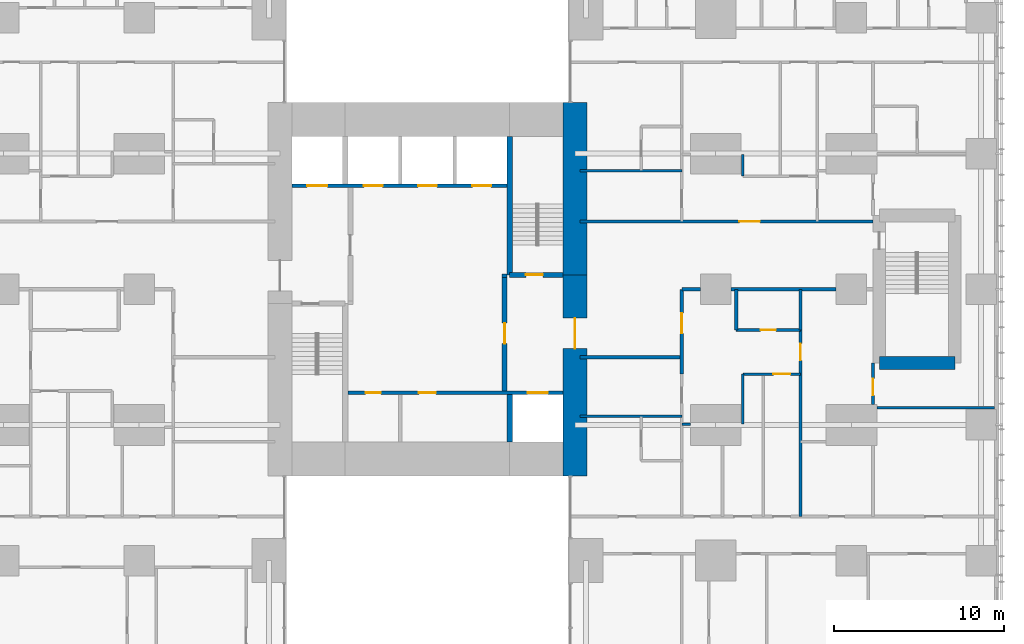
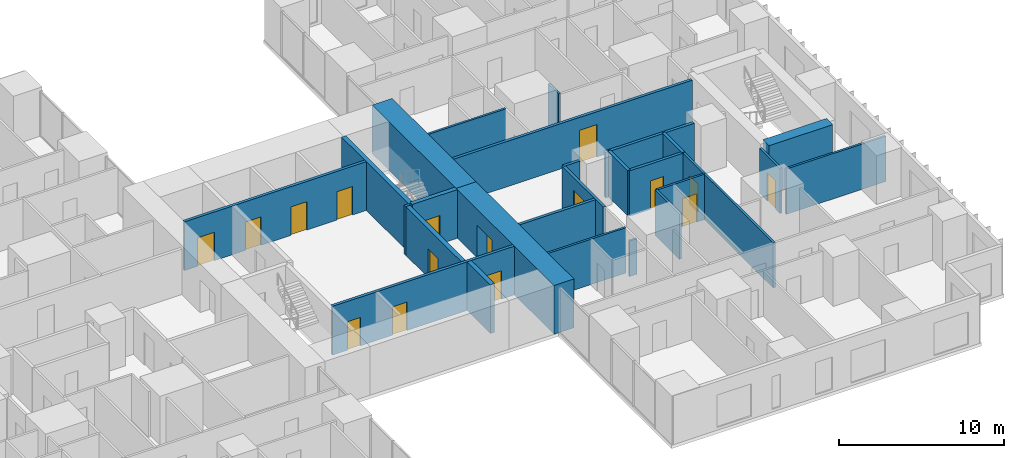
# One storey, part 15 of 20: 27 walls, 16 doors, 16 openings.
"""IFC4 building model written with IfcOpenShell, lengths in metres."""

from ifc_helpers import new_model, si_unit, direction, frame, frame_2d, origin, place, context, subcontext, project, spatial, rectangle, extrude, material, layer, layer_set, type_object, element, fill, save


model = new_model("IFC4")

# Units and contexts
model_context = context("Model", 3, precision=1e-05, world=origin(), true_north=direction((0.0, 1.0)))
body_context = subcontext(model_context, "Body", "Model", "MODEL_VIEW")
ifc_project = project(units=[si_unit("LENGTHUNIT", "METRE"), si_unit("AREAUNIT", "SQUARE_METRE"), si_unit("VOLUMEUNIT", "CUBIC_METRE"), si_unit("PLANEANGLEUNIT", "RADIAN"), si_unit("MASSUNIT", "GRAM", prefix="KILO")], contexts=[model_context])

# Site, building, storey
site_placement = place(None, origin())
site = spatial("IfcSite", under=ifc_project, at=site_placement, CompositionType="ELEMENT")
building_placement = place(site_placement, origin())
building = spatial("IfcBuilding", under=site, at=building_placement, Name="Cleftline Residences", CompositionType="ELEMENT")
storey_placement = place(building_placement, frame((0.0, 0.0, 193.0)))
storey = spatial("IfcBuildingStorey", under=building, at=storey_placement, Name="L50", CompositionType="ELEMENT", Elevation=193.0)

# Wall, opening, door
ifc_material_1 = material(Name="Concrete B70", Category="concrete")
ifc_layer_1 = layer(ifc_material_1, 1.39990234375)
ifc_layer_set_1 = layer_set([ifc_layer_1], Name="CORE WALL 1400")
wall_type_1 = type_object("IfcWallType", Name="CORE WALL 1400", PredefinedType="SHEAR", material=ifc_layer_set_1)
wall_1_placement = place(storey_placement, frame((41.699951171875, 13.0, 0.0), z_axis=(0.0, 0.0, 1.0), x_axis=(0.0, 1.0, 0.0)))
wall_1 = element("IfcWall", 1, at=wall_1_placement, inside=storey, type_object=wall_type_1, Name="Core wall E", PredefinedType="SHEAR", context=body_context, shape_type="SweptSolid", body=[
    extrude(rectangle(XDim=11.85009765625, YDim=1.39990234375, at=frame_2d((5.925048828125, 0.0))), origin(), (0.0, 0.0, 1.0), 3.60009765625),
])
opening_1_placement = place(wall_1_placement, frame((7.5, 0.0, 0.0)))
opening_1 = element("IfcOpeningElement", 2, at=opening_1_placement, cuts=wall_1, Name="Opening D7", PredefinedType="OPENING", context=body_context, shape_type="SweptSolid", body=[
    extrude(rectangle(XDim=1.800048828125, YDim=2.39990234375, at=frame_2d((0.89990234375, 1.199951171875))), frame((0.0, 0.7099609375, 0.0), z_axis=(0.0, -1.0, 0.0), x_axis=(1.0, 0.0, 0.0)), (0.0, 0.0, 1.0), 1.419921875),
])
ifc_material_2 = material(Name="Steel", Category="steel")
door_type_1 = type_object("IfcDoorType", Name="WING DOOR 1800X2400", OperationType="DOUBLE_DOOR_DOUBLE_SWING", PredefinedType="DOOR", material=ifc_material_2)
door_1_placement = place(opening_1_placement, origin())
door_1 = element("IfcDoor", 3, at=door_1_placement, inside=storey, type_object=door_type_1, Name="East wing door", OperationType="DOUBLE_DOOR_DOUBLE_SWING", OverallHeight=2.39990234375, OverallWidth=1.800048828125, PredefinedType="DOOR", context=body_context, shape_type="SweptSolid", body=[
    extrude(rectangle(XDim=1.800048828125, YDim=2.39990234375, at=frame_2d((0.89990234375, 1.199951171875))), frame((0.0, 0.02490234375, 0.0), z_axis=(0.0, -1.0, 0.0), x_axis=(1.0, 0.0, 0.0)), (0.0, 0.0, 1.0), 0.050048828125),
])
fill(opening_1, door_1)

# Walls
wall_2_placement = place(storey_placement, frame((41.699951171875, 24.85009765625, 0.0), z_axis=(0.0, 0.0, 1.0), x_axis=(0.0, 1.0, 0.0)))
element("IfcWall", 4, at=wall_2_placement, inside=storey, type_object=wall_type_1, Name="Core wall E1", PredefinedType="SHEAR", context=body_context, shape_type="SweptSolid", body=[
    extrude(rectangle(XDim=10.14990234375, YDim=1.39990234375, at=frame_2d((5.074951171875, 0.0))), origin(), (0.0, 0.0, 1.0), 3.60009765625),
])
ifc_material_3 = material(Name="Concrete B70", Category="concrete")
ifc_layer_2 = layer(ifc_material_3, 0.300048828125)
ifc_layer_set_2 = layer_set([ifc_layer_2], Name="CORE WALL 300")
wall_type_2 = type_object("IfcWallType", Name="CORE WALL 300", PredefinedType="SHEAR", material=ifc_layer_set_2)
wall_3_placement = place(storey_placement, frame((37.85009765625, 24.85009765625, 0.0), z_axis=(0.0, 0.0, 1.0), x_axis=(0.0, 1.0, 0.0)))
element("IfcWall", 5, at=wall_3_placement, inside=storey, type_object=wall_type_2, Name="Core wall SB-W", PredefinedType="SHEAR", context=body_context, shape_type="SweptSolid", body=[
    extrude(rectangle(XDim=8.14990234375, YDim=0.300048828125, at=frame_2d((4.074951171875, 0.0))), origin(), (0.0, 0.0, 1.0), 3.60009765625),
])

# Wall, opening, door
wall_4_placement = place(storey_placement, frame((37.85009765625, 24.85009765625, 0.0), z_axis=(0.0, 0.0, 1.0), x_axis=(1.0, 0.0, 0.0)))
wall_4 = element("IfcWall", 6, at=wall_4_placement, inside=storey, type_object=wall_type_2, Name="Core wall SB-S", PredefinedType="SHEAR", context=body_context, shape_type="SweptSolid", body=[
    extrude(rectangle(XDim=3.14990234375, YDim=0.300048828125, at=frame_2d((1.574951171875, 0.0))), origin(), (0.0, 0.0, 1.0), 3.60009765625),
])
opening_2_placement = place(wall_4_placement, frame((0.949951171875, 0.0, 0.0)))
opening_2 = element("IfcOpeningElement", 7, at=opening_2_placement, cuts=wall_4, Name="Opening D5", PredefinedType="OPENING", context=body_context, shape_type="SweptSolid", body=[
    extrude(rectangle(XDim=1.0, YDim=2.10009765625, at=frame_2d((0.5, 1.050048828125))), frame((0.0, 0.159912109375, 0.0), z_axis=(0.0, -1.0, 0.0), x_axis=(1.0, 0.0, 0.0)), (0.0, 0.0, 1.0), 0.320068359375),
])
ifc_material_4 = material(Name="Steel", Category="steel")
door_type_2 = type_object("IfcDoorType", Name="STAIR DOOR 1000X2100", OperationType="SINGLE_SWING_LEFT", PredefinedType="DOOR", material=ifc_material_4)
door_2_placement = place(opening_2_placement, origin())
door_2 = element("IfcDoor", 8, at=door_2_placement, inside=storey, type_object=door_type_2, Name="Stair B door", OperationType="SINGLE_SWING_RIGHT", OverallHeight=2.10009765625, OverallWidth=1.0, PredefinedType="DOOR", context=body_context, shape_type="SweptSolid", body=[
    extrude(rectangle(XDim=1.0, YDim=2.10009765625, at=frame_2d((0.5, 1.050048828125))), frame((0.0, 0.02490234375, 0.0), z_axis=(0.0, -1.0, 0.0), x_axis=(1.0, 0.0, 0.0)), (0.0, 0.0, 1.0), 0.050048828125),
])
fill(opening_2, door_2)

# Walls
wall_5_placement = place(storey_placement, frame((37.85009765625, 15.0, 0.0), z_axis=(0.0, 0.0, 1.0), x_axis=(0.0, 1.0, 0.0)))
element("IfcWall", 9, at=wall_5_placement, inside=storey, type_object=wall_type_2, Name="Lift shaft wall", PredefinedType="SHEAR", context=body_context, shape_type="SweptSolid", body=[
    extrude(rectangle(XDim=2.800048828125, YDim=0.300048828125, at=frame_2d((1.39990234375, 0.0))), origin(), (0.0, 0.0, 1.0), 3.60009765625),
])
ifc_material_5 = material(Name="Concrete blockwork, fire rated", Category="masonry")
ifc_layer_3 = layer(ifc_material_5, 0.199951171875)
ifc_layer_set_3 = layer_set([ifc_layer_3], Name="FIRE WALL 200")
wall_type_3 = type_object("IfcWallType", Name="FIRE WALL 200", PredefinedType="PARTITIONING", material=ifc_layer_set_3)
wall_6_placement = place(storey_placement, frame((42.0, 20.0, 0.0), z_axis=(0.0, 0.0, 1.0), x_axis=(1.0, 0.0, 0.0)))
element("IfcWall", 10, at=wall_6_placement, inside=storey, type_object=wall_type_3, Name="Fire separating wall", PredefinedType="PARTITIONING", context=body_context, shape_type="SweptSolid", body=[
    extrude(rectangle(XDim=6.0, YDim=0.199951171875, at=frame_2d((3.0, 0.0))), origin(), (0.0, 0.0, 1.0), 3.35009765625),
])

# Wall, opening, door
wall_7_placement = place(storey_placement, frame((51.199951171875, 21.60009765625, 0.0), z_axis=(0.0, 0.0, 1.0), x_axis=(1.0, 0.0, 0.0)))
wall_7 = element("IfcWall", 11, at=wall_7_placement, inside=storey, type_object=wall_type_3, Name="Fire separating wall", PredefinedType="PARTITIONING", context=body_context, shape_type="SweptSolid", body=[
    extrude(rectangle(XDim=3.800048828125, YDim=0.199951171875, at=frame_2d((1.89990234375, 0.0))), origin(), (0.0, 0.0, 1.0), 3.35009765625),
])
opening_3_placement = place(wall_7_placement, frame((1.449951171875, 0.0, 0.0)))
opening_3 = element("IfcOpeningElement", 12, at=opening_3_placement, cuts=wall_7, Name="Opening D1F30", PredefinedType="OPENING", context=body_context, shape_type="SweptSolid", body=[
    extrude(rectangle(XDim=0.89990234375, YDim=2.10009765625, at=frame_2d((0.449951171875, 1.050048828125))), frame((0.0, 0.10986328125, 0.0), z_axis=(0.0, -1.0, 0.0), x_axis=(1.0, 0.0, 0.0)), (0.0, 0.0, 1.0), 0.219970703125),
])
ifc_material_6 = material(Name="Timber veneer on solid core", Category="wood")
door_type_3 = type_object("IfcDoorType", Name="DOOR 900X2100 EI 30", OperationType="SINGLE_SWING_LEFT", PredefinedType="DOOR", material=ifc_material_6)
door_3_placement = place(opening_3_placement, origin())
door_3 = element("IfcDoor", 13, at=door_3_placement, inside=storey, type_object=door_type_3, Name="Door to cloakroom wc", OperationType="SINGLE_SWING_LEFT", OverallHeight=2.10009765625, OverallWidth=0.89990234375, PredefinedType="DOOR", context=body_context, shape_type="SweptSolid", body=[
    extrude(rectangle(XDim=0.89990234375, YDim=2.10009765625, at=frame_2d((0.449951171875, 1.050048828125))), frame((0.0, 0.02490234375, 0.0), z_axis=(0.0, -1.0, 0.0), x_axis=(1.0, 0.0, 0.0)), (0.0, 0.0, 1.0), 0.050048828125),
])
fill(opening_3, door_3)

# Walls
wall_8_placement = place(storey_placement, frame((48.0, 24.0, 0.0), z_axis=(0.0, 0.0, 1.0), x_axis=(1.0, 0.0, 0.0)))
element("IfcWall", 14, at=wall_8_placement, inside=storey, type_object=wall_type_3, Name="Fire separating wall", PredefinedType="PARTITIONING", context=body_context, shape_type="SweptSolid", body=[
    extrude(rectangle(XDim=1.10009765625, YDim=0.199951171875, at=frame_2d((0.550048828125, 0.0))), origin(), (0.0, 0.0, 1.0), 3.35009765625),
])
wall_9_placement = place(storey_placement, frame((50.89990234375, 24.0, 0.0), z_axis=(0.0, 0.0, 1.0), x_axis=(1.0, 0.0, 0.0)))
element("IfcWall", 15, at=wall_9_placement, inside=storey, type_object=wall_type_3, Name="Fire separating wall", PredefinedType="PARTITIONING", context=body_context, shape_type="SweptSolid", body=[
    extrude(rectangle(XDim=6.2001953125, YDim=0.199951171875, at=frame_2d((3.10009765625, 0.0))), origin(), (0.0, 0.0, 1.0), 3.35009765625),
])

# Wall, opening, door
wall_10_placement = place(storey_placement, frame((42.0, 28.0, 0.0), z_axis=(0.0, 0.0, 1.0), x_axis=(1.0, 0.0, 0.0)))
wall_10 = element("IfcWall", 16, at=wall_10_placement, inside=storey, type_object=wall_type_3, Name="Fire separating wall", PredefinedType="PARTITIONING", context=body_context, shape_type="SweptSolid", body=[
    extrude(rectangle(XDim=17.27490234375, YDim=0.199951171875, at=frame_2d((8.637451171875, 0.0))), origin(), (0.0, 0.0, 1.0), 3.35009765625),
])
opening_4_placement = place(wall_10_placement, frame((9.39990234375, 0.0, 0.0)))
opening_4 = element("IfcOpeningElement", 17, at=opening_4_placement, cuts=wall_10, Name="Opening D4", PredefinedType="OPENING", context=body_context, shape_type="SweptSolid", body=[
    extrude(rectangle(XDim=1.199951171875, YDim=2.39990234375, at=frame_2d((0.60009765625, 1.199951171875))), frame((0.0, 0.10986328125, 0.0), z_axis=(0.0, -1.0, 0.0), x_axis=(1.0, 0.0, 0.0)), (0.0, 0.0, 1.0), 0.219970703125),
])
ifc_material_7 = material(Name="Timber veneer on solid core", Category="wood")
door_type_4 = type_object("IfcDoorType", Name="APARTMENT ENTRANCE DOOR 1200X2400", OperationType="SINGLE_SWING_RIGHT", PredefinedType="DOOR", material=ifc_material_7)
door_4_placement = place(opening_4_placement, origin())
door_4 = element("IfcDoor", 18, at=door_4_placement, inside=storey, type_object=door_type_4, Name="Door to residence entrance (gallery)", OperationType="SINGLE_SWING_LEFT", OverallHeight=2.39990234375, OverallWidth=1.199951171875, PredefinedType="DOOR", context=body_context, shape_type="SweptSolid", body=[
    extrude(rectangle(XDim=1.199951171875, YDim=2.39990234375, at=frame_2d((0.60009765625, 1.199951171875))), frame((0.0, 0.02490234375, 0.0), z_axis=(0.0, -1.0, 0.0), x_axis=(1.0, 0.0, 0.0)), (0.0, 0.0, 1.0), 0.050048828125),
])
fill(opening_4, door_4)

wall_11_placement = place(storey_placement, frame((48.0, 19.0, 0.0), z_axis=(0.0, 0.0, 1.0), x_axis=(0.0, 1.0, 0.0)))
wall_11 = element("IfcWall", 19, at=wall_11_placement, inside=storey, type_object=wall_type_3, Name="Fire separating wall", PredefinedType="PARTITIONING", context=body_context, shape_type="SweptSolid", body=[
    extrude(rectangle(XDim=5.0, YDim=0.199951171875, at=frame_2d((2.5, 0.0))), origin(), (0.0, 0.0, 1.0), 3.35009765625),
])
opening_5_placement = place(wall_11_placement, frame((2.39990234375, 0.0, 0.0)))
opening_5 = element("IfcOpeningElement", 20, at=opening_5_placement, cuts=wall_11, Name="Opening D4", PredefinedType="OPENING", context=body_context, shape_type="SweptSolid", body=[
    extrude(rectangle(XDim=1.199951171875, YDim=2.39990234375, at=frame_2d((0.60009765625, 1.199951171875))), frame((0.0, 0.10986328125, 0.0), z_axis=(0.0, -1.0, 0.0), x_axis=(1.0, 0.0, 0.0)), (0.0, 0.0, 1.0), 0.219970703125),
])
door_5_placement = place(opening_5_placement, origin())
door_5 = element("IfcDoor", 21, at=door_5_placement, inside=storey, type_object=door_type_4, Name="Door to residence entrance foyer", OperationType="SINGLE_SWING_LEFT", OverallHeight=2.39990234375, OverallWidth=1.199951171875, PredefinedType="DOOR", context=body_context, shape_type="SweptSolid", body=[
    extrude(rectangle(XDim=1.199951171875, YDim=2.39990234375, at=frame_2d((0.60009765625, 1.199951171875))), frame((0.0, 0.02490234375, 0.0), z_axis=(0.0, -1.0, 0.0), x_axis=(1.0, 0.0, 0.0)), (0.0, 0.0, 1.0), 0.050048828125),
])
fill(opening_5, door_5)

# Walls
for number, where, z_axis, x_axis, name in (
    (22, (51.199951171875, 21.60009765625, 0.0), (0.0, 0.0, 1.0), (0.0, 1.0, 0.0), "Fire separating wall"),
    (23, (55.0, 21.60009765625, 0.0), (0.0, 0.0, 1.0), (0.0, 1.0, 0.0), "Fire separating wall"),
):
    element("IfcWall", number, at=place(storey_placement, frame(where, z_axis=z_axis, x_axis=x_axis)), inside=storey, type_object=wall_type_3, Name=name, PredefinedType="PARTITIONING", context=body_context, shape_type="SweptSolid", body=[
        extrude(rectangle(XDim=2.39990234375, YDim=0.199951171875, at=frame_2d((1.199951171875, 0.0))), origin(), (0.0, 0.0, 1.0), 3.35009765625),
    ])
wall_12_placement = place(storey_placement, frame((37.39990234375, 24.800048828125, 0.0), z_axis=(0.0, 0.0, 1.0), x_axis=(1.0, 0.0, 0.0)))
element("IfcWall", 24, at=wall_12_placement, inside=storey, type_object=wall_type_3, Name="Fire separating wall", PredefinedType="PARTITIONING", context=body_context, shape_type="SweptSolid", body=[
    extrude(rectangle(XDim=0.300048828125, YDim=0.199951171875, at=frame_2d((0.14990234375, 0.0))), origin(), (0.0, 0.0, 1.0), 3.60009765625),
])
ifc_material_8 = material(Name="Gypsum board on steel studs", Category="steel")
ifc_layer_4 = layer(ifc_material_8, 0.14990234375)
ifc_layer_set_4 = layer_set([ifc_layer_4], Name="PARTITION 150")
wall_type_4 = type_object("IfcWallType", Name="PARTITION 150", PredefinedType="PARTITIONING", material=ifc_layer_set_4)
wall_13_placement = place(storey_placement, frame((48.0, 16.050048828125, 0.0), z_axis=(0.0, 0.0, 1.0), x_axis=(1.0, 0.0, 0.0)))
element("IfcWall", 25, at=wall_13_placement, inside=storey, type_object=wall_type_4, Name="Partition", PredefinedType="PARTITIONING", context=body_context, shape_type="SweptSolid", body=[
    extrude(rectangle(XDim=0.5, YDim=0.14990234375, at=frame_2d((0.25, 0.0))), origin(), (0.0, 0.0, 1.0), 2.634033203125),
])
wall_14_placement = place(storey_placement, frame((42.0, 16.5, 0.0), z_axis=(0.0, 0.0, 1.0), x_axis=(1.0, 0.0, 0.0)))
element("IfcWall", 26, at=wall_14_placement, inside=storey, type_object=wall_type_4, Name="Partition", PredefinedType="PARTITIONING", context=body_context, shape_type="SweptSolid", body=[
    extrude(rectangle(XDim=6.0, YDim=0.14990234375, at=frame_2d((3.0, 0.0))), origin(), (0.0, 0.0, 1.0), 3.35009765625),
])
wall_15_placement = place(storey_placement, frame((59.5, 17.0, 0.0), z_axis=(0.0, 0.0, 1.0), x_axis=(1.0, 0.0, 0.0)))
element("IfcWall", 27, at=wall_15_placement, inside=storey, type_object=wall_type_4, Name="Partition", PredefinedType="PARTITIONING", context=body_context, shape_type="SweptSolid", body=[
    extrude(rectangle(XDim=6.949951171875, YDim=0.14990234375, at=frame_2d((3.47509765625, 0.0))), origin(), (0.0, 0.0, 1.0), 3.35009765625),
])

# Wall, opening, door
wall_16_placement = place(storey_placement, frame((51.60009765625, 19.0, 0.0), z_axis=(0.0, 0.0, 1.0), x_axis=(1.0, 0.0, 0.0)))
wall_16 = element("IfcWall", 28, at=wall_16_placement, inside=storey, type_object=wall_type_4, Name="Partition", PredefinedType="PARTITIONING", context=body_context, shape_type="SweptSolid", body=[
    extrude(rectangle(XDim=3.39990234375, YDim=0.14990234375, at=frame_2d((1.699951171875, 0.0))), origin(), (0.0, 0.0, 1.0), 3.35009765625),
])
opening_6_placement = place(wall_16_placement, frame((1.800048828125, 0.0, 0.0)))
opening_6 = element("IfcOpeningElement", 29, at=opening_6_placement, cuts=wall_16, Name="Opening D2", PredefinedType="OPENING", context=body_context, shape_type="SweptSolid", body=[
    extrude(rectangle(XDim=1.0, YDim=2.10009765625, at=frame_2d((0.5, 1.050048828125))), frame((0.0, 0.0849609375, 0.0), z_axis=(0.0, -1.0, 0.0), x_axis=(1.0, 0.0, 0.0)), (0.0, 0.0, 1.0), 0.169921875),
])
ifc_material_9 = material(Name="Timber veneer on solid core", Category="wood")
door_type_5 = type_object("IfcDoorType", Name="DOOR 1000X2100", OperationType="SINGLE_SWING_LEFT", PredefinedType="DOOR", material=ifc_material_9)
door_6_placement = place(opening_6_placement, origin())
door_6 = element("IfcDoor", 30, at=door_6_placement, inside=storey, type_object=door_type_5, Name="Door to residence passage", OperationType="SINGLE_SWING_LEFT", OverallHeight=2.10009765625, OverallWidth=1.0, PredefinedType="DOOR", context=body_context, shape_type="SweptSolid", body=[
    extrude(rectangle(XDim=1.0, YDim=2.10009765625, at=frame_2d((0.5, 1.050048828125))), frame((0.0, 0.02490234375, 0.0), z_axis=(0.0, -1.0, 0.0), x_axis=(1.0, 0.0, 0.0)), (0.0, 0.0, 1.0), 0.050048828125),
])
fill(opening_6, door_6)

# Walls
wall_17_placement = place(storey_placement, frame((42.0, 31.0, 0.0), z_axis=(0.0, 0.0, 1.0), x_axis=(1.0, 0.0, 0.0)))
element("IfcWall", 31, at=wall_17_placement, inside=storey, type_object=wall_type_4, Name="Partition", PredefinedType="PARTITIONING", context=body_context, shape_type="SweptSolid", body=[
    extrude(rectangle(XDim=6.0, YDim=0.14990234375, at=frame_2d((3.0, 0.0))), origin(), (0.0, 0.0, 1.0), 3.35009765625),
])
wall_18_placement = place(storey_placement, frame((51.60009765625, 16.050048828125, 0.0), z_axis=(0.0, 0.0, 1.0), x_axis=(0.0, 1.0, 0.0)))
element("IfcWall", 32, at=wall_18_placement, inside=storey, type_object=wall_type_4, Name="Partition", PredefinedType="PARTITIONING", context=body_context, shape_type="SweptSolid", body=[
    extrude(rectangle(XDim=2.949951171875, YDim=0.14990234375, at=frame_2d((1.47509765625, 0.0))), origin(), (0.0, 0.0, 1.0), 3.35009765625),
])
wall_19_placement = place(storey_placement, frame((51.60009765625, 30.675048828125, 0.0), z_axis=(0.0, 0.0, 1.0), x_axis=(0.0, 1.0, 0.0)))
element("IfcWall", 33, at=wall_19_placement, inside=storey, type_object=wall_type_4, Name="Partition", PredefinedType="PARTITIONING", context=body_context, shape_type="SweptSolid", body=[
    extrude(rectangle(XDim=1.27490234375, YDim=0.14990234375, at=frame_2d((0.637451171875, 0.0))), origin(), (0.0, 0.0, 1.0), 3.35009765625),
])

# Wall, opening, door
wall_20_placement = place(storey_placement, frame((55.0, 10.60009765625, 0.0), z_axis=(0.0, 0.0, 1.0), x_axis=(0.0, 1.0, 0.0)))
wall_20 = element("IfcWall", 34, at=wall_20_placement, inside=storey, type_object=wall_type_4, Name="Partition", PredefinedType="PARTITIONING", context=body_context, shape_type="SweptSolid", body=[
    extrude(rectangle(XDim=11.0, YDim=0.14990234375, at=frame_2d((5.5, 0.0))), origin(), (0.0, 0.0, 1.0), 3.35009765625),
])
opening_7_placement = place(wall_20_placement, frame((9.199951171875, 0.0, 0.0)))
opening_7 = element("IfcOpeningElement", 35, at=opening_7_placement, cuts=wall_20, Name="Opening D2F30", PredefinedType="OPENING", context=body_context, shape_type="SweptSolid", body=[
    extrude(rectangle(XDim=1.0, YDim=2.10009765625, at=frame_2d((0.5, 1.050048828125))), frame((0.0, 0.0849609375, 0.0), z_axis=(0.0, -1.0, 0.0), x_axis=(1.0, 0.0, 0.0)), (0.0, 0.0, 1.0), 0.169921875),
])
ifc_material_10 = material(Name="Timber veneer on solid core", Category="wood")
door_type_6 = type_object("IfcDoorType", Name="DOOR 1000X2100 EI 30", OperationType="SINGLE_SWING_LEFT", PredefinedType="DOOR", material=ifc_material_10)
door_7_placement = place(opening_7_placement, origin())
door_7 = element("IfcDoor", 36, at=door_7_placement, inside=storey, type_object=door_type_6, Name="Door to residence lobby", OperationType="SINGLE_SWING_LEFT", OverallHeight=2.10009765625, OverallWidth=1.0, PredefinedType="DOOR", context=body_context, shape_type="SweptSolid", body=[
    extrude(rectangle(XDim=1.0, YDim=2.10009765625, at=frame_2d((0.5, 1.050048828125))), frame((0.0, 0.02490234375, 0.0), z_axis=(0.0, -1.0, 0.0), x_axis=(1.0, 0.0, 0.0)), (0.0, 0.0, 1.0), 0.050048828125),
])
fill(opening_7, door_7)

wall_21_placement = place(storey_placement, frame((59.27490234375, 17.199951171875, 0.0), z_axis=(0.0, 0.0, 1.0), x_axis=(0.0, 1.0, 0.0)))
wall_21 = element("IfcWall", 37, at=wall_21_placement, inside=storey, type_object=wall_type_4, Name="Partition", PredefinedType="PARTITIONING", context=body_context, shape_type="SweptSolid", body=[
    extrude(rectangle(XDim=2.449951171875, YDim=0.14990234375, at=frame_2d((1.22509765625, 0.0))), origin(), (0.0, 0.0, 1.0), 3.35009765625),
])
opening_8_placement = place(wall_21_placement, frame((0.53759765625, 0.0, 0.0)))
opening_8 = element("IfcOpeningElement", 38, at=opening_8_placement, cuts=wall_21, Name="Opening D2", PredefinedType="OPENING", context=body_context, shape_type="SweptSolid", body=[
    extrude(rectangle(XDim=1.0, YDim=2.10009765625, at=frame_2d((0.5, 1.050048828125))), frame((0.0, 0.0849609375, 0.0), z_axis=(0.0, -1.0, 0.0), x_axis=(1.0, 0.0, 0.0)), (0.0, 0.0, 1.0), 0.169921875),
])
door_8_placement = place(opening_8_placement, origin())
door_8 = element("IfcDoor", 39, at=door_8_placement, inside=storey, type_object=door_type_5, Name="Door to altar room", OperationType="SINGLE_SWING_RIGHT", OverallHeight=2.10009765625, OverallWidth=1.0, PredefinedType="DOOR", context=body_context, shape_type="SweptSolid", body=[
    extrude(rectangle(XDim=1.0, YDim=2.10009765625, at=frame_2d((0.5, 1.050048828125))), frame((0.0, 0.02490234375, 0.0), z_axis=(0.0, -1.0, 0.0), x_axis=(1.0, 0.0, 0.0)), (0.0, 0.0, 1.0), 0.050048828125),
])
fill(opening_8, door_8)

# Wall, openings, doors
ifc_material_11 = material(Name="Concrete blockwork, fire rated", Category="masonry")
ifc_layer_5 = layer(ifc_material_11, 0.199951171875)
ifc_layer_set_5 = layer_set([ifc_layer_5], Name="SHAFT WALL 200")
wall_type_5 = type_object("IfcWallType", Name="SHAFT WALL 200", PredefinedType="PARTITIONING", material=ifc_layer_set_5)
wall_22_placement = place(storey_placement, frame((28.300048828125, 17.89990234375, 0.0), z_axis=(0.0, 0.0, 1.0), x_axis=(1.0, 0.0, 0.0)))
wall_22 = element("IfcWall", 40, at=wall_22_placement, inside=storey, type_object=wall_type_5, Name="Core room wall", PredefinedType="PARTITIONING", context=body_context, shape_type="SweptSolid", body=[
    extrude(rectangle(XDim=12.699951171875, YDim=0.199951171875, at=frame_2d((6.35009765625, 0.0))), origin(), (0.0, 0.0, 1.0), 3.60009765625),
])
opening_9_placement = place(wall_22_placement, frame((1.050048828125, 0.0, 0.0)))
opening_9 = element("IfcOpeningElement", 41, at=opening_9_placement, cuts=wall_22, Name="Opening D1F30", PredefinedType="OPENING", context=body_context, shape_type="SweptSolid", body=[
    extrude(rectangle(XDim=0.89990234375, YDim=2.10009765625, at=frame_2d((0.449951171875, 1.050048828125))), frame((0.0, 0.10986328125, 0.0), z_axis=(0.0, -1.0, 0.0), x_axis=(1.0, 0.0, 0.0)), (0.0, 0.0, 1.0), 0.219970703125),
])
opening_10_placement = place(wall_22_placement, frame((4.199951171875, 0.0, 0.0)))
opening_10 = element("IfcOpeningElement", 42, at=opening_10_placement, cuts=wall_22, Name="Opening D2F60", PredefinedType="OPENING", context=body_context, shape_type="SweptSolid", body=[
    extrude(rectangle(XDim=1.0, YDim=2.10009765625, at=frame_2d((0.5, 1.050048828125))), frame((0.0, 0.10986328125, 0.0), z_axis=(0.0, -1.0, 0.0), x_axis=(1.0, 0.0, 0.0)), (0.0, 0.0, 1.0), 0.219970703125),
])
opening_11_placement = place(wall_22_placement, frame((10.60009765625, 0.0, 0.0)))
opening_11 = element("IfcOpeningElement", 43, at=opening_11_placement, cuts=wall_22, Name="Opening LD2", PredefinedType="OPENING", context=body_context, shape_type="SweptSolid", body=[
    extrude(rectangle(XDim=1.199951171875, YDim=2.10009765625, at=frame_2d((0.60009765625, 1.050048828125))), frame((0.0, 0.10986328125, 0.0), z_axis=(0.0, -1.0, 0.0), x_axis=(1.0, 0.0, 0.0)), (0.0, 0.0, 1.0), 0.219970703125),
])
ifc_material_12 = material(Name="Timber veneer on solid core", Category="wood")
door_type_7 = type_object("IfcDoorType", Name="DOOR 1000X2100 EI 60", OperationType="SINGLE_SWING_LEFT", PredefinedType="DOOR", material=ifc_material_12)
door_9_placement = place(opening_10_placement, origin())
door_9 = element("IfcDoor", 44, at=door_9_placement, inside=storey, type_object=door_type_7, Name="Door to communications room", OperationType="SINGLE_SWING_RIGHT", OverallHeight=2.10009765625, OverallWidth=1.0, PredefinedType="DOOR", context=body_context, shape_type="SweptSolid", body=[
    extrude(rectangle(XDim=1.0, YDim=2.10009765625, at=frame_2d((0.5, 1.050048828125))), frame((0.0, 0.02490234375, 0.0), z_axis=(0.0, -1.0, 0.0), x_axis=(1.0, 0.0, 0.0)), (0.0, 0.0, 1.0), 0.050048828125),
])
fill(opening_10, door_9)
door_10_placement = place(opening_9_placement, origin())
door_10 = element("IfcDoor", 45, at=door_10_placement, inside=storey, type_object=door_type_3, Name="Door to guest pantry", OperationType="SINGLE_SWING_RIGHT", OverallHeight=2.10009765625, OverallWidth=0.89990234375, PredefinedType="DOOR", context=body_context, shape_type="SweptSolid", body=[
    extrude(rectangle(XDim=0.89990234375, YDim=2.10009765625, at=frame_2d((0.449951171875, 1.050048828125))), frame((0.0, 0.02490234375, 0.0), z_axis=(0.0, -1.0, 0.0), x_axis=(1.0, 0.0, 0.0)), (0.0, 0.0, 1.0), 0.050048828125),
])
fill(opening_9, door_10)
ifc_material_13 = material(Name="Steel", Category="steel")
door_type_8 = type_object("IfcDoorType", Name="FIREFIGHTING LIFT LANDING DOOR 1200X2100", OperationType="SLIDING_TO_LEFT", PredefinedType="DOOR", material=ifc_material_13)
door_11_placement = place(opening_11_placement, origin())
door_11 = element("IfcDoor", 46, at=door_11_placement, inside=storey, type_object=door_type_8, Name="Lift FL2 landing door", OperationType="SLIDING_TO_LEFT", OverallHeight=2.10009765625, OverallWidth=1.199951171875, PredefinedType="DOOR", context=body_context, shape_type="SweptSolid", body=[
    extrude(rectangle(XDim=1.199951171875, YDim=2.10009765625, at=frame_2d((0.60009765625, 1.050048828125))), frame((0.0, 0.02490234375, 0.0), z_axis=(0.0, -1.0, 0.0), x_axis=(1.0, 0.0, 0.0)), (0.0, 0.0, 1.0), 0.050048828125),
])
fill(opening_11, door_11)

wall_23_placement = place(storey_placement, frame((25.0, 30.10009765625, 0.0), z_axis=(0.0, 0.0, 1.0), x_axis=(1.0, 0.0, 0.0)))
wall_23 = element("IfcWall", 47, at=wall_23_placement, inside=storey, type_object=wall_type_5, Name="Lift shaft wall", PredefinedType="PARTITIONING", context=body_context, shape_type="SweptSolid", body=[
    extrude(rectangle(XDim=12.699951171875, YDim=0.199951171875, at=frame_2d((6.35009765625, 0.0))), origin(), (0.0, 0.0, 1.0), 3.60009765625),
])
opening_12_placement = place(wall_23_placement, frame((4.25, 0.0, 0.0)))
opening_12 = element("IfcOpeningElement", 48, at=opening_12_placement, cuts=wall_23, Name="Opening LD1", PredefinedType="OPENING", context=body_context, shape_type="SweptSolid", body=[
    extrude(rectangle(XDim=1.10009765625, YDim=2.10009765625, at=frame_2d((0.550048828125, 1.050048828125))), frame((0.0, 0.10986328125, 0.0), z_axis=(0.0, -1.0, 0.0), x_axis=(1.0, 0.0, 0.0)), (0.0, 0.0, 1.0), 0.219970703125),
])
opening_13_placement = place(wall_23_placement, frame((7.449951171875, 0.0, 0.0)))
opening_13 = element("IfcOpeningElement", 49, at=opening_13_placement, cuts=wall_23, Name="Opening LD1", PredefinedType="OPENING", context=body_context, shape_type="SweptSolid", body=[
    extrude(rectangle(XDim=1.10009765625, YDim=2.10009765625, at=frame_2d((0.550048828125, 1.050048828125))), frame((0.0, 0.10986328125, 0.0), z_axis=(0.0, -1.0, 0.0), x_axis=(1.0, 0.0, 0.0)), (0.0, 0.0, 1.0), 0.219970703125),
])
opening_14_placement = place(wall_23_placement, frame((10.64990234375, 0.0, 0.0)))
opening_14 = element("IfcOpeningElement", 50, at=opening_14_placement, cuts=wall_23, Name="Opening LD1", PredefinedType="OPENING", context=body_context, shape_type="SweptSolid", body=[
    extrude(rectangle(XDim=1.10009765625, YDim=2.10009765625, at=frame_2d((0.550048828125, 1.050048828125))), frame((0.0, 0.10986328125, 0.0), z_axis=(0.0, -1.0, 0.0), x_axis=(1.0, 0.0, 0.0)), (0.0, 0.0, 1.0), 0.219970703125),
])
opening_15_placement = place(wall_23_placement, frame((0.89990234375, 0.0, 0.0)))
opening_15 = element("IfcOpeningElement", 51, at=opening_15_placement, cuts=wall_23, Name="Opening LD2", PredefinedType="OPENING", context=body_context, shape_type="SweptSolid", body=[
    extrude(rectangle(XDim=1.199951171875, YDim=2.10009765625, at=frame_2d((0.60009765625, 1.050048828125))), frame((0.0, 0.10986328125, 0.0), z_axis=(0.0, -1.0, 0.0), x_axis=(1.0, 0.0, 0.0)), (0.0, 0.0, 1.0), 0.219970703125),
])
door_12_placement = place(opening_15_placement, origin())
door_12 = element("IfcDoor", 52, at=door_12_placement, inside=storey, type_object=door_type_8, Name="Lift FL1 landing door", OperationType="SLIDING_TO_LEFT", OverallHeight=2.10009765625, OverallWidth=1.199951171875, PredefinedType="DOOR", context=body_context, shape_type="SweptSolid", body=[
    extrude(rectangle(XDim=1.199951171875, YDim=2.10009765625, at=frame_2d((0.60009765625, 1.050048828125))), frame((0.0, 0.02490234375, 0.0), z_axis=(0.0, -1.0, 0.0), x_axis=(1.0, 0.0, 0.0)), (0.0, 0.0, 1.0), 0.050048828125),
])
fill(opening_15, door_12)
ifc_material_14 = material(Name="Steel", Category="steel")
door_type_9 = type_object("IfcDoorType", Name="LIFT LANDING DOOR 1100X2100", OperationType="SLIDING_TO_LEFT", PredefinedType="DOOR", material=ifc_material_14)
door_13_placement = place(opening_12_placement, origin())
door_13 = element("IfcDoor", 53, at=door_13_placement, inside=storey, type_object=door_type_9, Name="Lift P4 landing door", OperationType="SLIDING_TO_LEFT", OverallHeight=2.10009765625, OverallWidth=1.10009765625, PredefinedType="DOOR", context=body_context, shape_type="SweptSolid", body=[
    extrude(rectangle(XDim=1.10009765625, YDim=2.10009765625, at=frame_2d((0.550048828125, 1.050048828125))), frame((0.0, 0.02490234375, 0.0), z_axis=(0.0, -1.0, 0.0), x_axis=(1.0, 0.0, 0.0)), (0.0, 0.0, 1.0), 0.050048828125),
])
fill(opening_12, door_13)
door_14_placement = place(opening_13_placement, origin())
door_14 = element("IfcDoor", 54, at=door_14_placement, inside=storey, type_object=door_type_9, Name="Lift P5 landing door", OperationType="SLIDING_TO_LEFT", OverallHeight=2.10009765625, OverallWidth=1.10009765625, PredefinedType="DOOR", context=body_context, shape_type="SweptSolid", body=[
    extrude(rectangle(XDim=1.10009765625, YDim=2.10009765625, at=frame_2d((0.550048828125, 1.050048828125))), frame((0.0, 0.02490234375, 0.0), z_axis=(0.0, -1.0, 0.0), x_axis=(1.0, 0.0, 0.0)), (0.0, 0.0, 1.0), 0.050048828125),
])
fill(opening_13, door_14)
door_15_placement = place(opening_14_placement, origin())
door_15 = element("IfcDoor", 55, at=door_15_placement, inside=storey, type_object=door_type_9, Name="Lift P6 landing door", OperationType="SLIDING_TO_LEFT", OverallHeight=2.10009765625, OverallWidth=1.10009765625, PredefinedType="DOOR", context=body_context, shape_type="SweptSolid", body=[
    extrude(rectangle(XDim=1.10009765625, YDim=2.10009765625, at=frame_2d((0.550048828125, 1.050048828125))), frame((0.0, 0.02490234375, 0.0), z_axis=(0.0, -1.0, 0.0), x_axis=(1.0, 0.0, 0.0)), (0.0, 0.0, 1.0), 0.050048828125),
])
fill(opening_14, door_15)

# Wall
ifc_material_15 = material(Name="Concrete B70", Category="concrete")
ifc_layer_6 = layer(ifc_material_15, 0.75)
ifc_layer_set_6 = layer_set([ifc_layer_6], Name="SHEAR WALL 750")
wall_type_6 = type_object("IfcWallType", Name="SHEAR WALL 750", PredefinedType="SHEAR", material=ifc_layer_set_6)
wall_24_placement = place(storey_placement, frame((59.64990234375, 19.64990234375, 0.0), z_axis=(0.0, 0.0, 1.0), x_axis=(1.0, 0.0, 0.0)))
element("IfcWall", 56, at=wall_24_placement, inside=storey, type_object=wall_type_6, Name="Wing shear wall", PredefinedType="SHEAR", context=body_context, shape_type="SweptSolid", body=[
    extrude(rectangle(XDim=4.4501953125, YDim=0.75, at=frame_2d((2.22509765625, 0.0))), origin(), (0.0, 0.0, 1.0), 3.60009765625),
])

# Wall, opening, door
ifc_material_16 = material(Name="Concrete blockwork, fire rated", Category="masonry")
ifc_layer_7 = layer(ifc_material_16, 0.300048828125)
ifc_layer_set_7 = layer_set([ifc_layer_7], Name="STAIR LOBBY WALL 300")
wall_type_7 = type_object("IfcWallType", Name="STAIR LOBBY WALL 300", PredefinedType="PARTITIONING", material=ifc_layer_set_7)
wall_25_placement = place(storey_placement, frame((37.550048828125, 18.0, 0.0), z_axis=(0.0, 0.0, 1.0), x_axis=(0.0, 1.0, 0.0)))
wall_25 = element("IfcWall", 57, at=wall_25_placement, inside=storey, type_object=wall_type_7, Name="Stair and lobby wall FB-W", PredefinedType="PARTITIONING", context=body_context, shape_type="SweptSolid", body=[
    extrude(rectangle(XDim=6.699951171875, YDim=0.300048828125, at=frame_2d((3.35009765625, 0.0))), origin(), (0.0, 0.0, 1.0), 3.60009765625),
])
opening_16_placement = place(wall_25_placement, frame((2.800048828125, 0.0, 0.0)))
opening_16 = element("IfcOpeningElement", 58, at=opening_16_placement, cuts=wall_25, Name="Opening D6", PredefinedType="OPENING", context=body_context, shape_type="SweptSolid", body=[
    extrude(rectangle(XDim=1.199951171875, YDim=2.10009765625, at=frame_2d((0.60009765625, 1.050048828125))), frame((0.0, 0.159912109375, 0.0), z_axis=(0.0, -1.0, 0.0), x_axis=(1.0, 0.0, 0.0)), (0.0, 0.0, 1.0), 0.320068359375),
])
ifc_material_17 = material(Name="Steel", Category="steel")
door_type_10 = type_object("IfcDoorType", Name="LOBBY DOOR 1200X2100", OperationType="SINGLE_SWING_RIGHT", PredefinedType="DOOR", material=ifc_material_17)
door_16_placement = place(opening_16_placement, origin())
door_16 = element("IfcDoor", 59, at=door_16_placement, inside=storey, type_object=door_type_10, Name="Firefighting lobby B door", OperationType="SINGLE_SWING_LEFT", OverallHeight=2.10009765625, OverallWidth=1.199951171875, PredefinedType="DOOR", context=body_context, shape_type="SweptSolid", body=[
    extrude(rectangle(XDim=1.199951171875, YDim=2.10009765625, at=frame_2d((0.60009765625, 1.050048828125))), frame((0.0, 0.02490234375, 0.0), z_axis=(0.0, -1.0, 0.0), x_axis=(1.0, 0.0, 0.0)), (0.0, 0.0, 1.0), 0.050048828125),
])
fill(opening_16, door_16)

save(model, "model.ifc")
